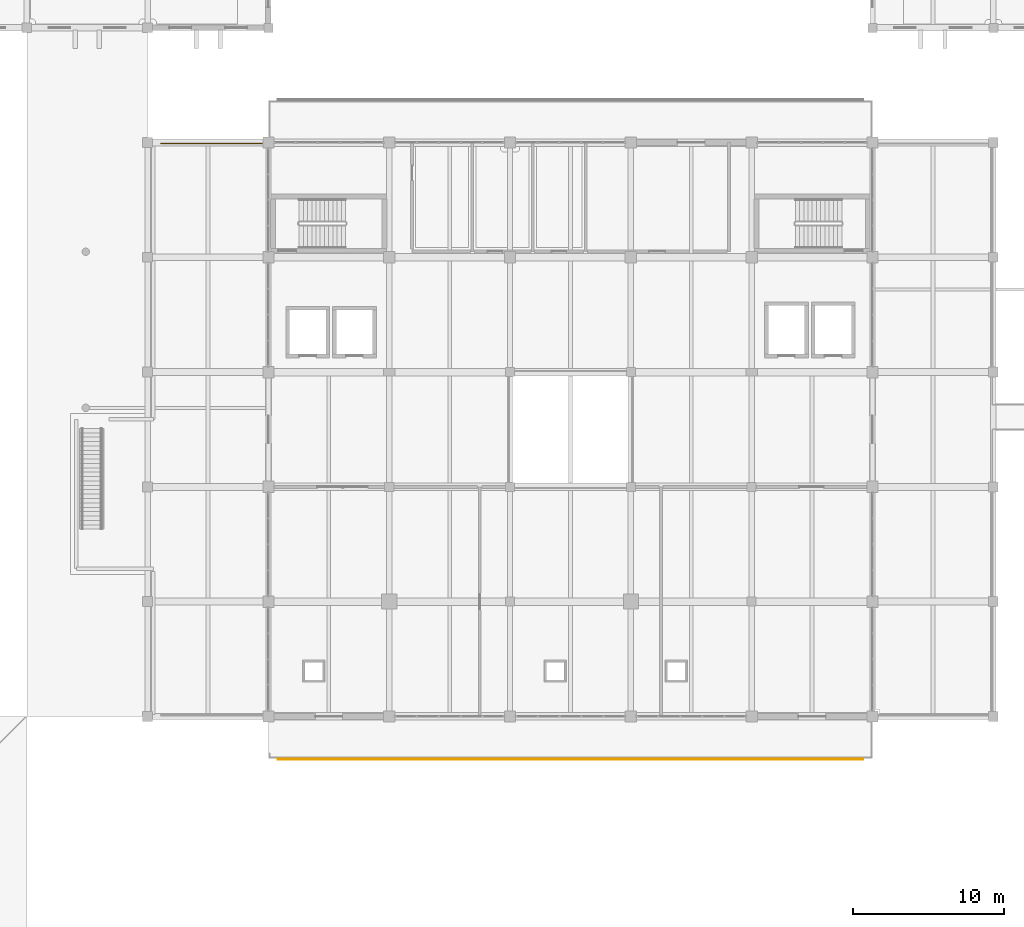
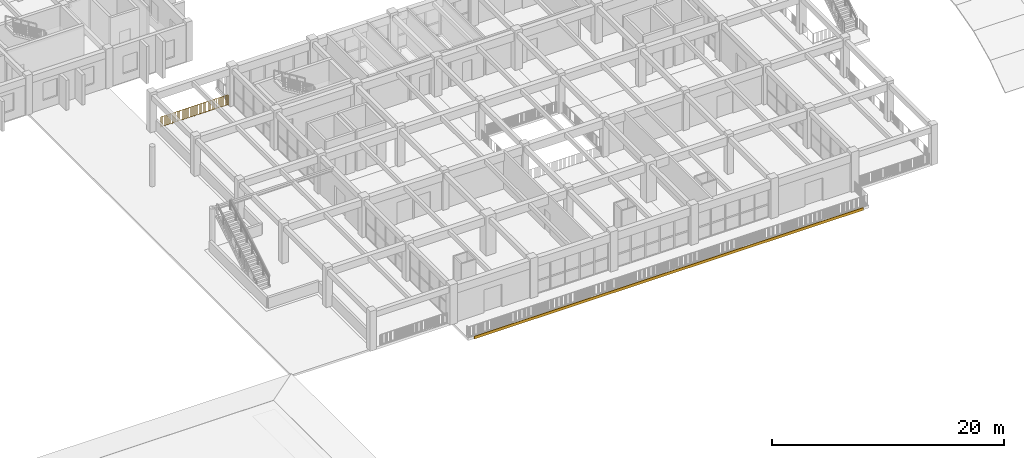
# One storey, part 52 of 63: 1 covering, 1 railing.
"""IFC4 building model written with IfcOpenShell, lengths in metres."""

from ifc_helpers import new_model, si_unit, direction, frame, origin, origin_2d, place, context, subcontext, project, spatial, polyline, rectangle, circle, outline, extrude, material, layer, layer_set, type_object, element, save


model = new_model("IFC4")

# Units and contexts
model_context = context("Model", 3, precision=1e-05, world=origin(), true_north=direction((0.0, 1.0)))
body_context = subcontext(model_context, "Body", "Model", "MODEL_VIEW")
ifc_project = project(units=[si_unit("LENGTHUNIT", "METRE"), si_unit("AREAUNIT", "SQUARE_METRE"), si_unit("VOLUMEUNIT", "CUBIC_METRE"), si_unit("PLANEANGLEUNIT", "RADIAN"), si_unit("MASSUNIT", "GRAM", prefix="KILO")], contexts=[model_context])

# Site, building, storey
site_placement = place(None, origin())
site = spatial("IfcSite", under=ifc_project, at=site_placement, CompositionType="ELEMENT")
building_placement = place(site_placement, origin())
building = spatial("IfcBuilding", under=site, at=building_placement, Name="Zantavel Square City Hall", CompositionType="ELEMENT")
storey_placement = place(building_placement, frame((0.0, 0.0, 14.699951171875)))
storey = spatial("IfcBuildingStorey", under=building, at=storey_placement, Name="L04", CompositionType="ELEMENT", Elevation=14.699951171875)

# Covering
ifc_material_1 = material(Name="White cantera volcanic tuff stone", Category="masonry")
ifc_layer = layer(ifc_material_1, 0.06005859375, Name="White cantera volcanic tuff stone")
ifc_layer_set = layer_set([ifc_layer], Name="White cantera volcanic tuff stone")
covering_type = type_object("IfcCoveringType", Name="Carved White Cantera Tray Fascia Cladding 60mm", PredefinedType="CLADDING", material=ifc_layer_set)
covering_placement = place(storey_placement, frame((0.0, 0.0, -0.280029296875)))
element("IfcCovering", 1, at=covering_placement, inside=storey, type_object=covering_type, Name="L04 White Cantera Tray Fascia COV-FASCIA-L04S", PredefinedType="CLADDING", context=body_context, shape_type="SweptSolid", body=[
    extrude(outline(polyline([(64.60009765625, 27.5400390625), (103.39990234375, 27.5400390625), (103.39990234375, 27.60009765625), (64.60009765625, 27.60009765625), (64.60009765625, 27.5400390625)])), origin(), (0.0, 0.0, 1.0), 0.280029296875),
])

# Railing
ifc_material_2 = material(Name="Steel ASTM A500 Grade B", Category="steel")
railing_type = type_object("IfcRailingType", Name="Classical Stone & Steel Terrace Balustrade 1100mm", PredefinedType="BALUSTRADE", material=ifc_material_2)
railing_placement = place(storey_placement, frame((56.87744140625, 68.330078125, 0.0)))
element("IfcRailing", 2, at=railing_placement, inside=storey, type_object=railing_type, Name="L04 Terrace Balustrade 032", PredefinedType="BALUSTRADE", context=body_context, shape_type="SweptSolid", body=[
    extrude(circle(Radius=0.02392578125, at=origin_2d()), frame((0.0, 0.0, 1.09619140625), z_axis=(1.0, 0.0, 0.0), x_axis=(0.0, 1.0, 0.0)), (0.0, 0.0, 1.0), 6.70751953125),
    extrude(rectangle(XDim=0.031982421875, YDim=0.031982421875, at=origin_2d()), frame((0.0, 0.0, 0.080078125), z_axis=(1.0, 0.0, 0.0), x_axis=(0.0, 1.0, 0.0)), (0.0, 0.0, 1.0), 6.70751953125),
    extrude(rectangle(XDim=0.02197265625, YDim=0.02197265625, at=origin_2d()), frame((0.08935546875, 0.0, 0.080078125)), (0.0, 0.0, 1.0), 0.991943359375),
    extrude(rectangle(XDim=0.02197265625, YDim=0.02197265625, at=origin_2d()), frame((0.178955078125, 0.0, 0.080078125)), (0.0, 0.0, 1.0), 0.991943359375),
    extrude(rectangle(XDim=0.02197265625, YDim=0.02197265625, at=origin_2d()), frame((0.268310546875, 0.0, 0.080078125)), (0.0, 0.0, 1.0), 0.991943359375),
    extrude(rectangle(XDim=0.02197265625, YDim=0.02197265625, at=origin_2d()), frame((0.357666015625, 0.0, 0.080078125)), (0.0, 0.0, 1.0), 0.991943359375),
    extrude(rectangle(XDim=0.02197265625, YDim=0.02197265625, at=origin_2d()), frame((0.447265625, 0.0, 0.080078125)), (0.0, 0.0, 1.0), 0.991943359375),
    extrude(rectangle(XDim=0.02197265625, YDim=0.02197265625, at=origin_2d()), frame((0.53662109375, 0.0, 0.080078125)), (0.0, 0.0, 1.0), 0.991943359375),
    extrude(rectangle(XDim=0.02197265625, YDim=0.02197265625, at=origin_2d()), frame((0.6259765625, 0.0, 0.080078125)), (0.0, 0.0, 1.0), 0.991943359375),
    extrude(rectangle(XDim=0.02197265625, YDim=0.02197265625, at=origin_2d()), frame((0.715576171875, 0.0, 0.080078125)), (0.0, 0.0, 1.0), 0.991943359375),
    extrude(rectangle(XDim=0.02197265625, YDim=0.02197265625, at=origin_2d()), frame((0.804931640625, 0.0, 0.080078125)), (0.0, 0.0, 1.0), 0.991943359375),
    extrude(rectangle(XDim=0.02197265625, YDim=0.02197265625, at=origin_2d()), frame((0.894287109375, 0.0, 0.080078125)), (0.0, 0.0, 1.0), 0.991943359375),
    extrude(rectangle(XDim=0.02197265625, YDim=0.02197265625, at=origin_2d()), frame((0.98388671875, 0.0, 0.080078125)), (0.0, 0.0, 1.0), 0.991943359375),
    extrude(rectangle(XDim=0.02197265625, YDim=0.02197265625, at=origin_2d()), frame((1.251953125, 0.0, 0.080078125)), (0.0, 0.0, 1.0), 0.991943359375),
    extrude(rectangle(XDim=0.02197265625, YDim=0.02197265625, at=origin_2d()), frame((1.341552734375, 0.0, 0.080078125)), (0.0, 0.0, 1.0), 0.991943359375),
    extrude(rectangle(XDim=0.02197265625, YDim=0.02197265625, at=origin_2d()), frame((1.430908203125, 0.0, 0.080078125)), (0.0, 0.0, 1.0), 0.991943359375),
    extrude(rectangle(XDim=0.02197265625, YDim=0.02197265625, at=origin_2d()), frame((1.520263671875, 0.0, 0.080078125)), (0.0, 0.0, 1.0), 0.991943359375),
    extrude(rectangle(XDim=0.02197265625, YDim=0.02197265625, at=origin_2d()), frame((1.60986328125, 0.0, 0.080078125)), (0.0, 0.0, 1.0), 0.991943359375),
    extrude(rectangle(XDim=0.02197265625, YDim=0.02197265625, at=origin_2d()), frame((1.69921875, 0.0, 0.080078125)), (0.0, 0.0, 1.0), 0.991943359375),
    extrude(rectangle(XDim=0.02197265625, YDim=0.02197265625, at=origin_2d()), frame((1.78857421875, 0.0, 0.080078125)), (0.0, 0.0, 1.0), 0.991943359375),
    extrude(rectangle(XDim=0.02197265625, YDim=0.02197265625, at=origin_2d()), frame((1.878173828125, 0.0, 0.080078125)), (0.0, 0.0, 1.0), 0.991943359375),
    extrude(rectangle(XDim=0.02197265625, YDim=0.02197265625, at=origin_2d()), frame((1.967529296875, 0.0, 0.080078125)), (0.0, 0.0, 1.0), 0.991943359375),
    extrude(rectangle(XDim=0.02197265625, YDim=0.02197265625, at=origin_2d()), frame((2.056884765625, 0.0, 0.080078125)), (0.0, 0.0, 1.0), 0.991943359375),
    extrude(rectangle(XDim=0.02197265625, YDim=0.02197265625, at=origin_2d()), frame((2.146484375, 0.0, 0.080078125)), (0.0, 0.0, 1.0), 0.991943359375),
    extrude(rectangle(XDim=0.02197265625, YDim=0.02197265625, at=origin_2d()), frame((2.3251953125, 0.0, 0.080078125)), (0.0, 0.0, 1.0), 0.991943359375),
    extrude(rectangle(XDim=0.02197265625, YDim=0.02197265625, at=origin_2d()), frame((2.414794921875, 0.0, 0.080078125)), (0.0, 0.0, 1.0), 0.991943359375),
    extrude(rectangle(XDim=0.02197265625, YDim=0.02197265625, at=origin_2d()), frame((2.504150390625, 0.0, 0.080078125)), (0.0, 0.0, 1.0), 0.991943359375),
    extrude(rectangle(XDim=0.02197265625, YDim=0.02197265625, at=origin_2d()), frame((2.593505859375, 0.0, 0.080078125)), (0.0, 0.0, 1.0), 0.991943359375),
    extrude(rectangle(XDim=0.02197265625, YDim=0.02197265625, at=origin_2d()), frame((2.68310546875, 0.0, 0.080078125)), (0.0, 0.0, 1.0), 0.991943359375),
    extrude(rectangle(XDim=0.02197265625, YDim=0.02197265625, at=origin_2d()), frame((2.7724609375, 0.0, 0.080078125)), (0.0, 0.0, 1.0), 0.991943359375),
    extrude(rectangle(XDim=0.02197265625, YDim=0.02197265625, at=origin_2d()), frame((2.86181640625, 0.0, 0.080078125)), (0.0, 0.0, 1.0), 0.991943359375),
    extrude(rectangle(XDim=0.02197265625, YDim=0.02197265625, at=origin_2d()), frame((2.951416015625, 0.0, 0.080078125)), (0.0, 0.0, 1.0), 0.991943359375),
    extrude(rectangle(XDim=0.02197265625, YDim=0.02197265625, at=origin_2d()), frame((3.040771484375, 0.0, 0.080078125)), (0.0, 0.0, 1.0), 0.991943359375),
    extrude(rectangle(XDim=0.02197265625, YDim=0.02197265625, at=origin_2d()), frame((3.130126953125, 0.0, 0.080078125)), (0.0, 0.0, 1.0), 0.991943359375),
    extrude(rectangle(XDim=0.02197265625, YDim=0.02197265625, at=origin_2d()), frame((3.2197265625, 0.0, 0.080078125)), (0.0, 0.0, 1.0), 0.991943359375),
    extrude(rectangle(XDim=0.02197265625, YDim=0.02197265625, at=origin_2d()), frame((3.48779296875, 0.0, 0.080078125)), (0.0, 0.0, 1.0), 0.991943359375),
    extrude(rectangle(XDim=0.02197265625, YDim=0.02197265625, at=origin_2d()), frame((3.577392578125, 0.0, 0.080078125)), (0.0, 0.0, 1.0), 0.991943359375),
    extrude(rectangle(XDim=0.02197265625, YDim=0.02197265625, at=origin_2d()), frame((3.666748046875, 0.0, 0.080078125)), (0.0, 0.0, 1.0), 0.991943359375),
    extrude(rectangle(XDim=0.02197265625, YDim=0.02197265625, at=origin_2d()), frame((3.756103515625, 0.0, 0.080078125)), (0.0, 0.0, 1.0), 0.991943359375),
    extrude(rectangle(XDim=0.02197265625, YDim=0.02197265625, at=origin_2d()), frame((3.845703125, 0.0, 0.080078125)), (0.0, 0.0, 1.0), 0.991943359375),
    extrude(rectangle(XDim=0.02197265625, YDim=0.02197265625, at=origin_2d()), frame((3.93505859375, 0.0, 0.080078125)), (0.0, 0.0, 1.0), 0.991943359375),
    extrude(rectangle(XDim=0.02197265625, YDim=0.02197265625, at=origin_2d()), frame((4.0244140625, 0.0, 0.080078125)), (0.0, 0.0, 1.0), 0.991943359375),
    extrude(rectangle(XDim=0.02197265625, YDim=0.02197265625, at=origin_2d()), frame((4.114013671875, 0.0, 0.080078125)), (0.0, 0.0, 1.0), 0.991943359375),
    extrude(rectangle(XDim=0.02197265625, YDim=0.02197265625, at=origin_2d()), frame((4.203369140625, 0.0, 0.080078125)), (0.0, 0.0, 1.0), 0.991943359375),
    extrude(rectangle(XDim=0.02197265625, YDim=0.02197265625, at=origin_2d()), frame((4.292724609375, 0.0, 0.080078125)), (0.0, 0.0, 1.0), 0.991943359375),
    extrude(rectangle(XDim=0.02197265625, YDim=0.02197265625, at=origin_2d()), frame((4.38232421875, 0.0, 0.080078125)), (0.0, 0.0, 1.0), 0.991943359375),
    extrude(rectangle(XDim=0.02197265625, YDim=0.02197265625, at=origin_2d()), frame((4.56103515625, 0.0, 0.080078125)), (0.0, 0.0, 1.0), 0.991943359375),
    extrude(rectangle(XDim=0.02197265625, YDim=0.02197265625, at=origin_2d()), frame((4.650634765625, 0.0, 0.080078125)), (0.0, 0.0, 1.0), 0.991943359375),
    extrude(rectangle(XDim=0.02197265625, YDim=0.02197265625, at=origin_2d()), frame((4.739990234375, 0.0, 0.080078125)), (0.0, 0.0, 1.0), 0.991943359375),
    extrude(rectangle(XDim=0.02197265625, YDim=0.02197265625, at=origin_2d()), frame((4.829345703125, 0.0, 0.080078125)), (0.0, 0.0, 1.0), 0.991943359375),
    extrude(rectangle(XDim=0.02197265625, YDim=0.02197265625, at=origin_2d()), frame((4.9189453125, 0.0, 0.080078125)), (0.0, 0.0, 1.0), 0.991943359375),
    extrude(rectangle(XDim=0.02197265625, YDim=0.02197265625, at=origin_2d()), frame((5.00830078125, 0.0, 0.080078125)), (0.0, 0.0, 1.0), 0.991943359375),
    extrude(rectangle(XDim=0.02197265625, YDim=0.02197265625, at=origin_2d()), frame((5.09765625, 0.0, 0.080078125)), (0.0, 0.0, 1.0), 0.991943359375),
    extrude(rectangle(XDim=0.02197265625, YDim=0.02197265625, at=origin_2d()), frame((5.187255859375, 0.0, 0.080078125)), (0.0, 0.0, 1.0), 0.991943359375),
    extrude(rectangle(XDim=0.02197265625, YDim=0.02197265625, at=origin_2d()), frame((5.276611328125, 0.0, 0.080078125)), (0.0, 0.0, 1.0), 0.991943359375),
    extrude(rectangle(XDim=0.02197265625, YDim=0.02197265625, at=origin_2d()), frame((5.365966796875, 0.0, 0.080078125)), (0.0, 0.0, 1.0), 0.991943359375),
    extrude(rectangle(XDim=0.02197265625, YDim=0.02197265625, at=origin_2d()), frame((5.45556640625, 0.0, 0.080078125)), (0.0, 0.0, 1.0), 0.991943359375),
    extrude(rectangle(XDim=0.02197265625, YDim=0.02197265625, at=origin_2d()), frame((5.7236328125, 0.0, 0.080078125)), (0.0, 0.0, 1.0), 0.991943359375),
    extrude(rectangle(XDim=0.02197265625, YDim=0.02197265625, at=origin_2d()), frame((5.813232421875, 0.0, 0.080078125)), (0.0, 0.0, 1.0), 0.991943359375),
    extrude(rectangle(XDim=0.02197265625, YDim=0.02197265625, at=origin_2d()), frame((5.902587890625, 0.0, 0.080078125)), (0.0, 0.0, 1.0), 0.991943359375),
    extrude(rectangle(XDim=0.02197265625, YDim=0.02197265625, at=origin_2d()), frame((5.991943359375, 0.0, 0.080078125)), (0.0, 0.0, 1.0), 0.991943359375),
    extrude(rectangle(XDim=0.02197265625, YDim=0.02197265625, at=origin_2d()), frame((6.08154296875, 0.0, 0.080078125)), (0.0, 0.0, 1.0), 0.991943359375),
    extrude(rectangle(XDim=0.02197265625, YDim=0.02197265625, at=origin_2d()), frame((6.1708984375, 0.0, 0.080078125)), (0.0, 0.0, 1.0), 0.991943359375),
    extrude(rectangle(XDim=0.02197265625, YDim=0.02197265625, at=origin_2d()), frame((6.26025390625, 0.0, 0.080078125)), (0.0, 0.0, 1.0), 0.991943359375),
    extrude(rectangle(XDim=0.02197265625, YDim=0.02197265625, at=origin_2d()), frame((6.349853515625, 0.0, 0.080078125)), (0.0, 0.0, 1.0), 0.991943359375),
    extrude(rectangle(XDim=0.02197265625, YDim=0.02197265625, at=origin_2d()), frame((6.439208984375, 0.0, 0.080078125)), (0.0, 0.0, 1.0), 0.991943359375),
    extrude(rectangle(XDim=0.02197265625, YDim=0.02197265625, at=origin_2d()), frame((6.528564453125, 0.0, 0.080078125)), (0.0, 0.0, 1.0), 0.991943359375),
    extrude(rectangle(XDim=0.02197265625, YDim=0.02197265625, at=origin_2d()), frame((6.6181640625, 0.0, 0.080078125)), (0.0, 0.0, 1.0), 0.991943359375),
    extrude(circle(Radius=0.02099609375, at=origin_2d()), origin(), (0.0, 0.0, 1.0), 1.072021484375),
    extrude(circle(Radius=0.02099609375, at=origin_2d()), frame((1.117919921875, 0.0, 0.0)), (0.0, 0.0, 1.0), 1.072021484375),
    extrude(circle(Radius=0.02099609375, at=origin_2d()), frame((2.23583984375, 0.0, 0.0)), (0.0, 0.0, 1.0), 1.072021484375),
    extrude(circle(Radius=0.02099609375, at=origin_2d()), frame((3.353759765625, 0.0, 0.0)), (0.0, 0.0, 1.0), 1.072021484375),
    extrude(circle(Radius=0.02099609375, at=origin_2d()), frame((4.4716796875, 0.0, 0.0)), (0.0, 0.0, 1.0), 1.072021484375),
    extrude(circle(Radius=0.02099609375, at=origin_2d()), frame((5.589599609375, 0.0, 0.0)), (0.0, 0.0, 1.0), 1.072021484375),
    extrude(circle(Radius=0.02099609375, at=origin_2d()), frame((6.70751953125, 0.0, 0.0)), (0.0, 0.0, 1.0), 1.072021484375),
])

save(model, "model.ifc")
